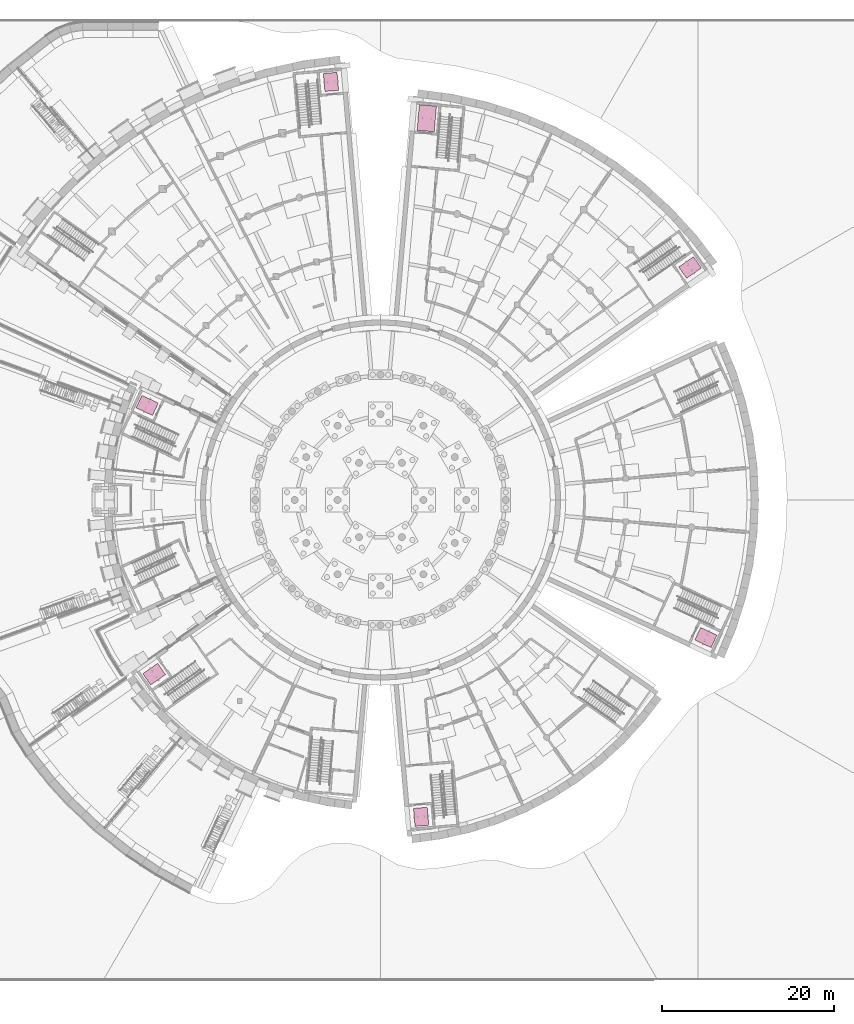
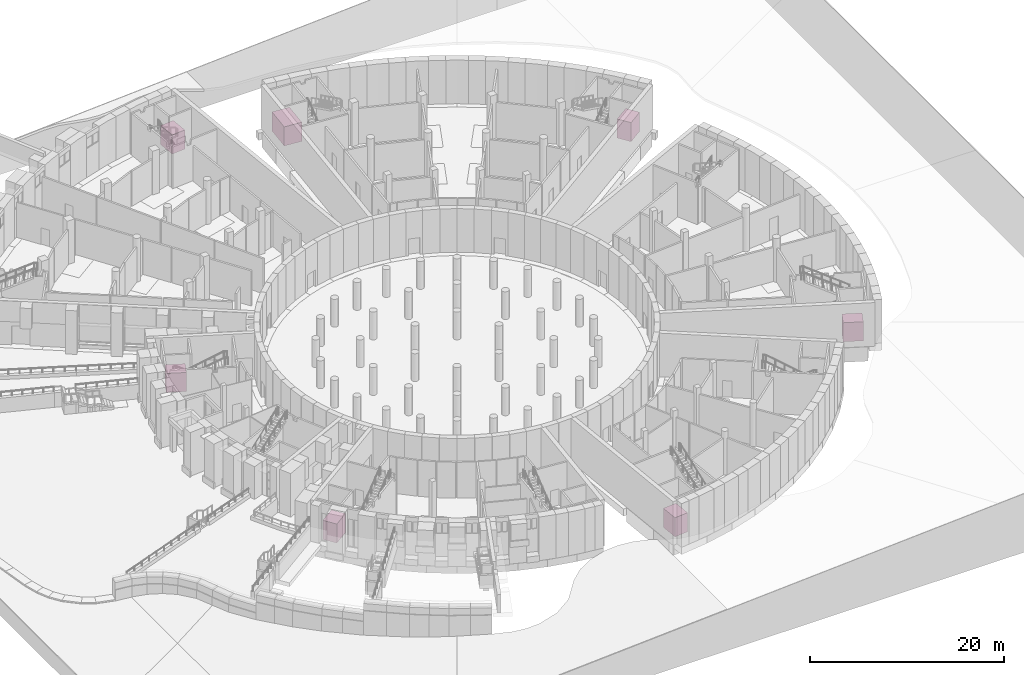
# One storey, part 65 of 65: 7 transport elements.
"""IFC4 building model written with IfcOpenShell, lengths in metres."""

from ifc_helpers import new_model, si_unit, direction, frame, origin, origin_2d, place, context, subcontext, project, spatial, rectangle, extrude, material, type_object, element, save


model = new_model("IFC4")

# Units and contexts
model_context = context("Model", 3, precision=1e-05, world=origin(), true_north=direction((0.0, 1.0)))
body_context = subcontext(model_context, "Body", "Model", "MODEL_VIEW")
ifc_project = project(units=[si_unit("LENGTHUNIT", "METRE"), si_unit("AREAUNIT", "SQUARE_METRE"), si_unit("VOLUMEUNIT", "CUBIC_METRE"), si_unit("PLANEANGLEUNIT", "RADIAN"), si_unit("MASSUNIT", "GRAM", prefix="KILO")], contexts=[model_context])

# Site, building, storey
site_placement = place(None, origin())
site = spatial("IfcSite", under=ifc_project, at=site_placement, CompositionType="ELEMENT")
building_placement = place(site_placement, origin())
building = spatial("IfcBuilding", under=site, at=building_placement, Name="Volute Hill Aquarium", CompositionType="ELEMENT")
storey_placement = place(building_placement, frame((0.0, 0.0, -5.5)))
storey = spatial("IfcBuildingStorey", under=building, at=storey_placement, Name="L00", CompositionType="ELEMENT", Elevation=-5.5)

# Transport elements
ifc_material_1 = material(Name="Steel", Category="steel")
transport_element_type_1 = type_object("IfcTransportElementType", Name="Goods lift 2500 kg", PredefinedType="ELEVATOR", material=ifc_material_1)
transport_element_placement = place(storey_placement, frame((5.39892578125, 44.498779296875, 0.050048828125), z_axis=(0.0, 0.0, 1.0), x_axis=(0.08710864073, 0.996198817862, 0.0)))
element("IfcTransportElement", 1, at=transport_element_placement, inside=storey, type_object=transport_element_type_1, Name="LF-S5-B", PredefinedType="ELEVATOR", context=body_context, shape_type="SweptSolid", body=[
    extrude(rectangle(XDim=3.0, YDim=2.0, at=origin_2d()), origin(), (0.0, 0.0, 1.0), 2.39990234375),
])
ifc_material_2 = material(Name="Stainless steel", Category="steel")
transport_element_type_2 = type_object("IfcTransportElementType", Name="Passenger lift 1275 kg", PredefinedType="ELEVATOR", material=ifc_material_2)
for number, where, z_axis, x_axis, name in (
    (2, (-27.188720703125, 11.023193359375, 0.050048828125), (0.0, 0.0, 1.0), (-0.906331248317, 0.422567945217, 0.0), "LF-S1-A"),
    (3, (-26.37646484375, -20.300048828125, 0.050048828125), (0.0, 0.0, 1.0), (-0.819203731484, -0.573502612306, 0.0), "LF-S2-A"),
    (4, (4.736572265625, -36.927734375, 0.050048828125), (0.0, 0.0, 1.0), (0.087199203008, -0.996190894856, 0.0), "LF-S3-A"),
    (5, (37.928466796875, -16.03125, 0.050048828125), (0.0, 0.0, 1.0), (0.906313390882, -0.422606244047, 0.0), "LF-S4-A"),
    (6, (36.08349609375, 27.096923828125, 0.050048828125), (0.0, 0.0, 1.0), (0.81912384914, 0.573616701091, 0.0), "LF-S5-A"),
    (7, (-5.769287109375, 48.732666015625, 0.050048828125), (0.0, 0.0, 1.0), (-0.087199203008, 0.996190894856, 0.0), "LF-S6-A"),
):
    element("IfcTransportElement", number, at=place(storey_placement, frame(where, z_axis=z_axis, x_axis=x_axis)), inside=storey, type_object=transport_element_type_2, Name=name, PredefinedType="ELEVATOR", context=body_context, shape_type="SweptSolid", body=[
        extrude(rectangle(XDim=2.10009765625, YDim=1.60009765625, at=origin_2d()), origin(), (0.0, 0.0, 1.0), 2.39990234375),
    ])

save(model, "model.ifc")
